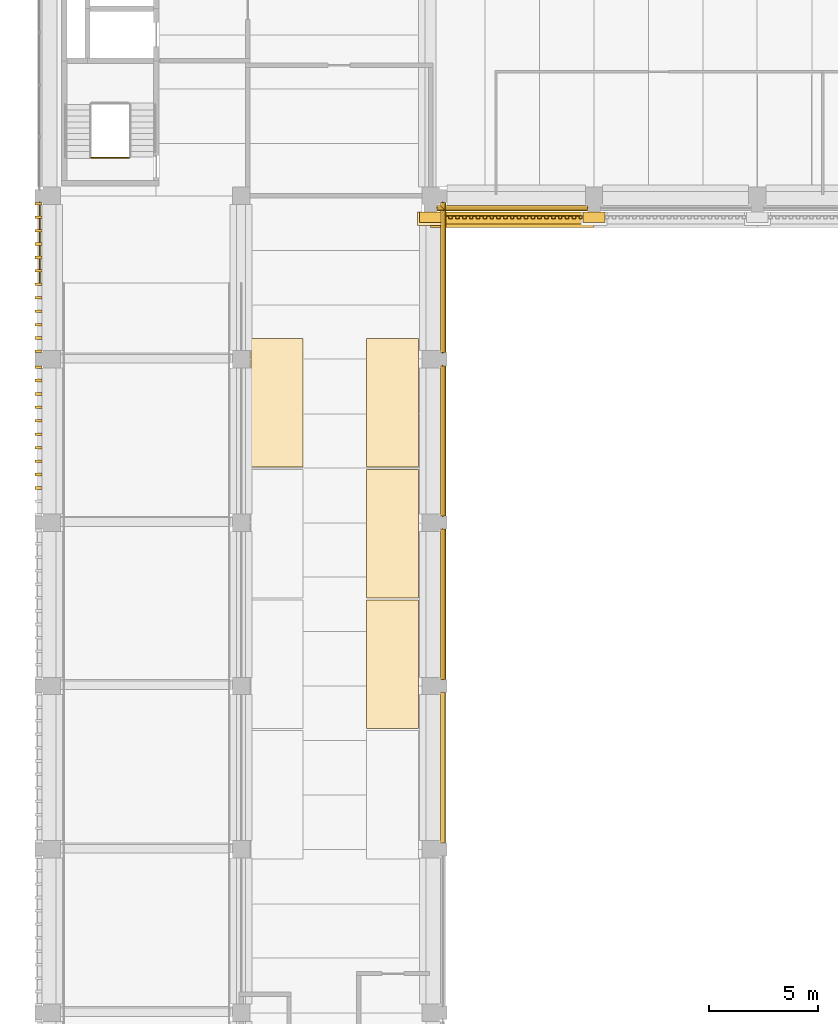
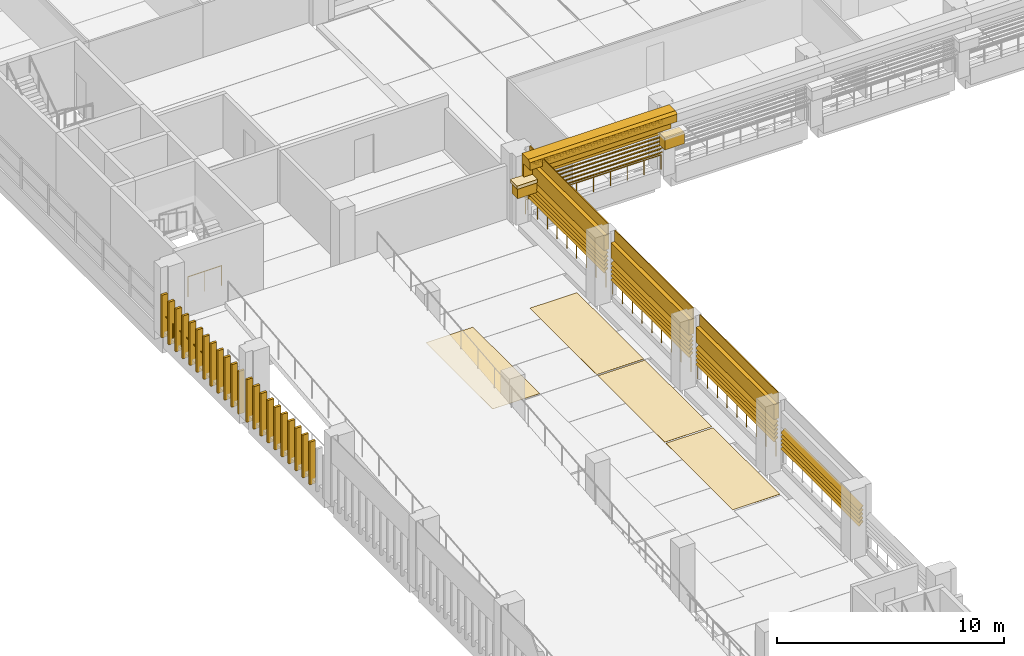
# One storey, part 41 of 71: 35 coverings, 25 shading devices, 6 railings.
"""IFC4 building model written with IfcOpenShell, lengths in metres."""

from ifc_helpers import new_model, si_unit, direction, frame, origin, origin_2d, place, context, subcontext, project, spatial, polyline, circle, outline, extrude, material, layer, layer_set, type_object, element, save


model = new_model("IFC4")

# Units and contexts
model_context = context("Model", 3, precision=1e-05, world=origin(), true_north=direction((0.0, 1.0)))
body_context = subcontext(model_context, "Body", "Model", "MODEL_VIEW")
ifc_project = project(units=[si_unit("LENGTHUNIT", "METRE"), si_unit("AREAUNIT", "SQUARE_METRE"), si_unit("VOLUMEUNIT", "CUBIC_METRE"), si_unit("PLANEANGLEUNIT", "RADIAN"), si_unit("MASSUNIT", "GRAM", prefix="KILO")], contexts=[model_context])

# Site, building, storey
site_placement = place(None, origin())
site = spatial("IfcSite", under=ifc_project, at=site_placement, CompositionType="ELEMENT")
building_placement = place(site_placement, origin())
building = spatial("IfcBuilding", under=site, at=building_placement, Name="Cour d'Honneur Mobility Palace", CompositionType="ELEMENT")
storey_placement = place(building_placement, frame((0.0, 0.0, 15.60009765625)))
storey = spatial("IfcBuildingStorey", under=building, at=storey_placement, Name="L04", CompositionType="ELEMENT", Elevation=15.60009765625)

# Railings
ifc_material_1 = material(Name="Painted steel", Category="steel")
railing_type_1 = type_object("IfcRailingType", Name="Balustrade", PredefinedType="BALUSTRADE", material=ifc_material_1)
for number, where, name in (
    (1, (17.949951171875, 22.800048828125, 0.2998046875), "Balustrade BAL-201"),
    (2, (17.949951171875, 30.300048828125, 0.2998046875), "Balustrade BAL-202"),
    (3, (17.949951171875, 37.800048828125, 0.2998046875), "Balustrade BAL-203"),
):
    element("IfcRailing", number, at=place(storey_placement, frame(where)), inside=storey, type_object=railing_type_1, Name=name, PredefinedType="BALUSTRADE", context=body_context, shape_type="SweptSolid", body=[
        extrude(circle(Radius=0.02392578125, at=origin_2d()), frame((0.0, 0.0, 0.77587890625), z_axis=(0.0, 1.0, 0.0), x_axis=(-1.0, 0.0, 0.0)), (0.0, 0.0, 1.0), 6.89990234375),
        extrude(circle(Radius=0.02099609375, at=origin_2d()), origin(), (0.0, 0.0, 1.0), 0.751953125),
        extrude(circle(Radius=0.02099609375, at=origin_2d()), frame((0.0, 0.862548828125, 0.0)), (0.0, 0.0, 1.0), 0.751953125),
        extrude(circle(Radius=0.02099609375, at=origin_2d()), frame((0.0, 1.72509765625, 0.0)), (0.0, 0.0, 1.0), 0.751953125),
        extrude(circle(Radius=0.02099609375, at=origin_2d()), frame((0.0, 2.58740234375, 0.0)), (0.0, 0.0, 1.0), 0.751953125),
        extrude(circle(Radius=0.02099609375, at=origin_2d()), frame((0.0, 3.449951171875, 0.0)), (0.0, 0.0, 1.0), 0.751953125),
        extrude(circle(Radius=0.02099609375, at=origin_2d()), frame((0.0, 4.3125, 0.0)), (0.0, 0.0, 1.0), 0.751953125),
        extrude(circle(Radius=0.02099609375, at=origin_2d()), frame((0.0, 5.1748046875, 0.0)), (0.0, 0.0, 1.0), 0.751953125),
        extrude(circle(Radius=0.02099609375, at=origin_2d()), frame((0.0, 6.037353515625, 0.0)), (0.0, 0.0, 1.0), 0.751953125),
        extrude(circle(Radius=0.02099609375, at=origin_2d()), frame((0.0, 6.89990234375, 0.0)), (0.0, 0.0, 1.0), 0.751953125),
    ])
railing_1_placement = place(storey_placement, frame((17.699951171875, 44.449951171875, 0.2998046875)))
element("IfcRailing", 4, at=railing_1_placement, inside=storey, type_object=railing_type_1, Name="Balustrade BAL-204", PredefinedType="BALUSTRADE", context=body_context, shape_type="SweptSolid", body=[
    extrude(circle(Radius=0.02392578125, at=origin_2d()), frame((0.0, 0.0, 0.77587890625), z_axis=(1.0, 0.0, 0.0), x_axis=(0.0, 1.0, 0.0)), (0.0, 0.0, 1.0), 6.900146484375),
    extrude(circle(Radius=0.02099609375, at=origin_2d()), origin(), (0.0, 0.0, 1.0), 0.751953125),
    extrude(circle(Radius=0.02099609375, at=origin_2d()), frame((0.862548828125, 0.0, 0.0)), (0.0, 0.0, 1.0), 0.751953125),
    extrude(circle(Radius=0.02099609375, at=origin_2d()), frame((1.72509765625, 0.0, 0.0)), (0.0, 0.0, 1.0), 0.751953125),
    extrude(circle(Radius=0.02099609375, at=origin_2d()), frame((2.587646484375, 0.0, 0.0)), (0.0, 0.0, 1.0), 0.751953125),
    extrude(circle(Radius=0.02099609375, at=origin_2d()), frame((3.4501953125, 0.0, 0.0)), (0.0, 0.0, 1.0), 0.751953125),
    extrude(circle(Radius=0.02099609375, at=origin_2d()), frame((4.3125, 0.0, 0.0)), (0.0, 0.0, 1.0), 0.751953125),
    extrude(circle(Radius=0.02099609375, at=origin_2d()), frame((5.175048828125, 0.0, 0.0)), (0.0, 0.0, 1.0), 0.751953125),
    extrude(circle(Radius=0.02099609375, at=origin_2d()), frame((6.03759765625, 0.0, 0.0)), (0.0, 0.0, 1.0), 0.751953125),
    extrude(circle(Radius=0.02099609375, at=origin_2d()), frame((6.900146484375, 0.0, 0.0)), (0.0, 0.0, 1.0), 0.751953125),
])
railing_2_placement = place(storey_placement, frame((-0.550048828125, 44.699951171875, 0.2998046875)))
element("IfcRailing", 5, at=railing_2_placement, inside=storey, type_object=railing_type_1, Name="Balustrade BAL-259", PredefinedType="BALUSTRADE", context=body_context, shape_type="SweptSolid", body=[
    extrude(circle(Radius=0.02392578125, at=origin_2d()), frame((0.0, 0.0, 0.77587890625), z_axis=(0.0, -1.0, 0.0), x_axis=(1.0, 0.0, 0.0)), (0.0, 0.0, 1.0), 3.699951171875),
    extrude(circle(Radius=0.02099609375, at=origin_2d()), origin(), (0.0, 0.0, 1.0), 0.751953125),
    extrude(circle(Radius=0.02099609375, at=origin_2d()), frame((0.0, -0.739990234375, 0.0)), (0.0, 0.0, 1.0), 0.751953125),
    extrude(circle(Radius=0.02099609375, at=origin_2d()), frame((0.0, -1.47998046875, 0.0)), (0.0, 0.0, 1.0), 0.751953125),
    extrude(circle(Radius=0.02099609375, at=origin_2d()), frame((0.0, -2.219970703125, 0.0)), (0.0, 0.0, 1.0), 0.751953125),
    extrude(circle(Radius=0.02099609375, at=origin_2d()), frame((0.0, -2.9599609375, 0.0)), (0.0, 0.0, 1.0), 0.751953125),
    extrude(circle(Radius=0.02099609375, at=origin_2d()), frame((0.0, -3.699951171875, 0.0)), (0.0, 0.0, 1.0), 0.751953125),
])

# Coverings
ifc_material_2 = material(Name="Cast limestone", Category="masonry")
ifc_layer_1 = layer(ifc_material_2, 0.14990234375)
ifc_layer_set_1 = layer_set([ifc_layer_1], Name="Cast limestone")
covering_type_1 = type_object("IfcCoveringType", Name="Dentil course", PredefinedType="CLADDING", material=ifc_layer_set_1)
covering_1_placement = place(storey_placement, frame((0.0, 0.0, 3.14990234375)))
element("IfcCovering", 6, at=covering_1_placement, inside=storey, type_object=covering_type_1, Name="Dentil course DC-70", PredefinedType="CLADDING", context=body_context, shape_type="SweptSolid", body=[
    extrude(outline(polyline([(17.85009765625, 44.10009765625), (24.449951171875, 44.10009765625), (24.449951171875, 44.070068359375), (24.449951171875, 44.070068359375), (24.371337890625, 44.070068359375), (24.371337890625, 43.949951171875), (24.21435546875, 43.949951171875), (24.21435546875, 44.070068359375), (24.1357421875, 44.070068359375), (24.1357421875, 44.070068359375), (24.05712890625, 44.070068359375), (24.05712890625, 43.949951171875), (23.89990234375, 43.949951171875), (23.89990234375, 44.070068359375), (23.821533203125, 44.070068359375), (23.821533203125, 44.070068359375), (23.742919921875, 44.070068359375), (23.742919921875, 43.949951171875), (23.585693359375, 43.949951171875), (23.585693359375, 44.070068359375), (23.507080078125, 44.070068359375), (23.507080078125, 44.070068359375), (23.428466796875, 44.070068359375), (23.428466796875, 43.949951171875), (23.271484375, 43.949951171875), (23.271484375, 44.070068359375), (23.19287109375, 44.070068359375), (23.19287109375, 44.070068359375), (23.1142578125, 44.070068359375), (23.1142578125, 43.949951171875), (22.95703125, 43.949951171875), (22.95703125, 44.070068359375), (22.878662109375, 44.070068359375), (22.878662109375, 44.070068359375), (22.800048828125, 44.070068359375), (22.800048828125, 43.949951171875), (22.642822265625, 43.949951171875), (22.642822265625, 44.070068359375), (22.564208984375, 44.070068359375), (22.564208984375, 44.070068359375), (22.485595703125, 44.070068359375), (22.485595703125, 43.949951171875), (22.32861328125, 43.949951171875), (22.32861328125, 44.070068359375), (22.25, 44.070068359375), (22.25, 44.070068359375), (22.17138671875, 44.070068359375), (22.17138671875, 43.949951171875), (22.014404296875, 43.949951171875), (22.014404296875, 44.070068359375), (21.935791015625, 44.070068359375), (21.935791015625, 44.070068359375), (21.857177734375, 44.070068359375), (21.857177734375, 43.949951171875), (21.699951171875, 43.949951171875), (21.699951171875, 44.070068359375), (21.621337890625, 44.070068359375), (21.621337890625, 44.070068359375), (21.54296875, 44.070068359375), (21.54296875, 43.949951171875), (21.3857421875, 43.949951171875), (21.3857421875, 44.070068359375), (21.30712890625, 44.070068359375), (21.30712890625, 44.070068359375), (21.228515625, 44.070068359375), (21.228515625, 43.949951171875), (21.071533203125, 43.949951171875), (21.071533203125, 44.070068359375), (20.992919921875, 44.070068359375), (20.992919921875, 44.070068359375), (20.914306640625, 44.070068359375), (20.914306640625, 43.949951171875), (20.757080078125, 43.949951171875), (20.757080078125, 44.070068359375), (20.678466796875, 44.070068359375), (20.678466796875, 44.070068359375), (20.60009765625, 44.070068359375), (20.60009765625, 43.949951171875), (20.44287109375, 43.949951171875), (20.44287109375, 44.070068359375), (20.3642578125, 44.070068359375), (20.3642578125, 44.070068359375), (20.28564453125, 44.070068359375), (20.28564453125, 43.949951171875), (20.128662109375, 43.949951171875), (20.128662109375, 44.070068359375), (20.050048828125, 44.070068359375), (20.050048828125, 44.070068359375), (19.971435546875, 44.070068359375), (19.971435546875, 43.949951171875), (19.814208984375, 43.949951171875), (19.814208984375, 44.070068359375), (19.735595703125, 44.070068359375), (19.735595703125, 44.070068359375), (19.6572265625, 44.070068359375), (19.6572265625, 43.949951171875), (19.5, 43.949951171875), (19.5, 44.070068359375), (19.42138671875, 44.070068359375), (19.42138671875, 44.070068359375), (19.3427734375, 44.070068359375), (19.3427734375, 43.949951171875), (19.185791015625, 43.949951171875), (19.185791015625, 44.070068359375), (19.107177734375, 44.070068359375), (19.107177734375, 44.070068359375), (19.028564453125, 44.070068359375), (19.028564453125, 43.949951171875), (18.871337890625, 43.949951171875), (18.871337890625, 44.070068359375), (18.79296875, 44.070068359375), (18.79296875, 44.070068359375), (18.71435546875, 44.070068359375), (18.71435546875, 43.949951171875), (18.55712890625, 43.949951171875), (18.55712890625, 44.070068359375), (18.478515625, 44.070068359375), (18.478515625, 44.070068359375), (18.39990234375, 44.070068359375), (18.39990234375, 43.949951171875), (18.242919921875, 43.949951171875), (18.242919921875, 44.070068359375), (18.164306640625, 44.070068359375), (18.164306640625, 44.070068359375), (18.085693359375, 44.070068359375), (18.085693359375, 43.949951171875), (17.928466796875, 43.949951171875), (17.928466796875, 44.070068359375), (17.85009765625, 44.070068359375), (17.85009765625, 44.10009765625)])), origin(), (0.0, 0.0, 1.0), 0.14990234375),
])
ifc_material_3 = material(Name="Cast limestone", Category="masonry")
ifc_layer_2 = layer(ifc_material_3, 0.699951171875)
ifc_layer_set_2 = layer_set([ifc_layer_2], Name="Cast limestone")
covering_type_2 = type_object("IfcCoveringType", Name="Entablature", PredefinedType="CLADDING", material=ifc_layer_set_2)
covering_2_placement = place(storey_placement, frame((17.39990234375, 44.25, 2.599853515625), z_axis=(-1.0, 0.0, 0.0), x_axis=(0.0, -1.0, 0.0)))
element("IfcCovering", 7, at=covering_2_placement, inside=storey, type_object=covering_type_2, Name="Entablature EN-70", PredefinedType="CLADDING", context=body_context, shape_type="SweptSolid", body=[
    extrude(outline(polyline([(0.0, 0.0), (0.14990234375, 0.0), (0.14990234375, 0.699951171875), (0.699951171875, 0.699951171875), (0.699951171875, 1.10009765625), (0.550048828125, 1.199951171875), (0.0, 1.199951171875), (0.0, 0.0)])), origin(), (0.0, 0.0, -1.0), 7.5),
])

# Railing
ifc_material_4 = material(Name="Painted steel", Category="steel")
railing_type_2 = type_object("IfcRailingType", Name="Guardrail 1100", PredefinedType="GUARDRAIL", material=ifc_material_4)
railing_3_placement = place(storey_placement, frame((1.824951171875, 46.7548828125, 0.0)))
element("IfcRailing", 8, at=railing_3_placement, inside=storey, type_object=railing_type_2, Name="Guard ST-CW1", PredefinedType="GUARDRAIL", context=body_context, shape_type="SweptSolid", body=[
    extrude(circle(Radius=0.02490234375, at=origin_2d()), frame((0.0, 0.0, 1.0751953125), z_axis=(1.0, 0.0, 0.0), x_axis=(0.0, 1.0, 0.0)), (0.0, 0.0, 1.0), 1.72509765625),
    extrude(circle(Radius=0.02099609375, at=origin_2d()), origin(), (0.0, 0.0, 1.0), 1.050048828125),
    extrude(circle(Radius=0.02099609375, at=origin_2d()), frame((0.862548828125, 0.0, 0.0)), (0.0, 0.0, 1.0), 1.050048828125),
    extrude(circle(Radius=0.02099609375, at=origin_2d()), frame((1.72509765625, 0.0, 0.0)), (0.0, 0.0, 1.0), 1.050048828125),
])

# Coverings
ifc_material_5 = material(Name="Parking marking paint")
ifc_layer_3 = layer(ifc_material_5, 0.0048828125)
ifc_layer_set_3 = layer_set([ifc_layer_3], Name="Parking marking paint")
covering_type_3 = type_object("IfcCoveringType", Name="Parking bay marking", PredefinedType="FLOORING", material=ifc_layer_set_3)
covering_3_placement = place(storey_placement, origin())
element("IfcCovering", 9, at=covering_3_placement, inside=storey, type_object=covering_type_3, Name="Parking bay marking L04 55", PredefinedType="FLOORING", context=body_context, shape_type="SweptSolid", body=[
    extrude(outline(polyline([(11.550048828125, 32.550048828125), (9.14990234375, 32.550048828125), (9.14990234375, 38.449951171875), (11.550048828125, 38.449951171875), (11.550048828125, 32.550048828125)])), origin(), (0.0, 0.0, 1.0), 0.0048828125),
])
covering_4_placement = place(storey_placement, origin())
element("IfcCovering", 10, at=covering_4_placement, inside=storey, type_object=covering_type_3, Name="Parking bay marking L04 57", PredefinedType="FLOORING", context=body_context, shape_type="SweptSolid", body=[
    extrude(outline(polyline([(16.85009765625, 20.550048828125), (14.449951171875, 20.550048828125), (14.449951171875, 26.449951171875), (16.85009765625, 26.449951171875), (16.85009765625, 20.550048828125)])), origin(), (0.0, 0.0, 1.0), 0.0048828125),
])
covering_5_placement = place(storey_placement, origin())
element("IfcCovering", 11, at=covering_5_placement, inside=storey, type_object=covering_type_3, Name="Parking bay marking L04 58", PredefinedType="FLOORING", context=body_context, shape_type="SweptSolid", body=[
    extrude(outline(polyline([(16.85009765625, 26.550048828125), (14.449951171875, 26.550048828125), (14.449951171875, 32.449951171875), (16.85009765625, 32.449951171875), (16.85009765625, 26.550048828125)])), origin(), (0.0, 0.0, 1.0), 0.0048828125),
])
covering_6_placement = place(storey_placement, origin())
element("IfcCovering", 12, at=covering_6_placement, inside=storey, type_object=covering_type_3, Name="Parking bay marking L04 59", PredefinedType="FLOORING", context=body_context, shape_type="SweptSolid", body=[
    extrude(outline(polyline([(16.85009765625, 32.550048828125), (14.449951171875, 32.550048828125), (14.449951171875, 38.449951171875), (16.85009765625, 38.449951171875), (16.85009765625, 32.550048828125)])), origin(), (0.0, 0.0, 1.0), 0.0048828125),
])
ifc_material_6 = material(Name="Cast limestone", Category="masonry")
ifc_layer_4 = layer(ifc_material_6, 0.1201171875)
ifc_layer_set_4 = layer_set([ifc_layer_4], Name="Cast limestone")
covering_type_4 = type_object("IfcCoveringType", Name="Pilaster capital", PredefinedType="CLADDING", material=ifc_layer_set_4)
covering_7_placement = place(storey_placement, frame((0.0, 0.0, 1.7998046875)))
element("IfcCovering", 13, at=covering_7_placement, inside=storey, type_object=covering_type_4, Name="Pilaster capital PK-19", PredefinedType="CLADDING", context=body_context, shape_type="SweptSolid", body=[
    extrude(outline(polyline([(16.89990234375, 44.25), (17.89990234375, 44.25), (17.89990234375, 43.780029296875), (16.89990234375, 43.780029296875), (16.89990234375, 44.25)])), origin(), (0.0, 0.0, 1.0), 0.6201171875),
])
covering_8_placement = place(storey_placement, frame((0.0, 0.0, 2.419921875)))
element("IfcCovering", 14, at=covering_8_placement, inside=storey, type_object=covering_type_4, Name="Pilaster capital PK-20", PredefinedType="CLADDING", context=body_context, shape_type="SweptSolid", body=[
    extrude(outline(polyline([(16.800048828125, 44.25), (18.0, 44.25), (18.0, 43.64990234375), (16.800048828125, 43.64990234375), (16.800048828125, 44.25)])), origin(), (0.0, 0.0, 1.0), 0.179931640625),
])
covering_9_placement = place(storey_placement, frame((0.0, 0.0, 1.7998046875)))
element("IfcCovering", 15, at=covering_9_placement, inside=storey, type_object=covering_type_4, Name="Pilaster capital PK-21", PredefinedType="CLADDING", context=body_context, shape_type="SweptSolid", body=[
    extrude(outline(polyline([(24.39990234375, 44.25), (25.39990234375, 44.25), (25.39990234375, 43.780029296875), (24.39990234375, 43.780029296875), (24.39990234375, 44.25)])), origin(), (0.0, 0.0, 1.0), 0.6201171875),
])
ifc_material_7 = material(Name="Cast limestone", Category="masonry")
ifc_layer_5 = layer(ifc_material_7, 0.1201171875)
ifc_layer_set_5 = layer_set([ifc_layer_5], Name="Cast limestone")
covering_type_5 = type_object("IfcCoveringType", Name="Ramp screen fin", PredefinedType="CLADDING", material=ifc_layer_set_5)
covering_10_placement = place(storey_placement, origin())
element("IfcCovering", 16, at=covering_10_placement, inside=storey, type_object=covering_type_5, Name="Ramp screen fin W11.8 L04 1", PredefinedType="CLADDING", context=body_context, shape_type="SweptSolid", body=[
    extrude(outline(polyline([(-0.449951171875, 44.699951171875), (-0.449951171875, 44.580078125), (-0.75, 44.580078125), (-0.75, 44.699951171875), (-0.449951171875, 44.699951171875)])), origin(), (0.0, 0.0, 1.0), 2.2998046875),
])
covering_11_placement = place(storey_placement, origin())
element("IfcCovering", 17, at=covering_11_placement, inside=storey, type_object=covering_type_5, Name="Ramp screen fin W11.8 L04 2", PredefinedType="CLADDING", context=body_context, shape_type="SweptSolid", body=[
    extrude(outline(polyline([(-0.449951171875, 44.083740234375), (-0.449951171875, 43.963623046875), (-0.75, 43.963623046875), (-0.75, 44.083740234375), (-0.449951171875, 44.083740234375)])), origin(), (0.0, 0.0, 1.0), 2.2998046875),
])
covering_12_placement = place(storey_placement, origin())
element("IfcCovering", 18, at=covering_12_placement, inside=storey, type_object=covering_type_5, Name="Ramp screen fin W11.8 L04 3", PredefinedType="CLADDING", context=body_context, shape_type="SweptSolid", body=[
    extrude(outline(polyline([(-0.449951171875, 43.46728515625), (-0.449951171875, 43.34716796875), (-0.75, 43.34716796875), (-0.75, 43.46728515625), (-0.449951171875, 43.46728515625)])), origin(), (0.0, 0.0, 1.0), 2.2998046875),
])
covering_13_placement = place(storey_placement, origin())
element("IfcCovering", 19, at=covering_13_placement, inside=storey, type_object=covering_type_5, Name="Ramp screen fin W11.8 L04 4", PredefinedType="CLADDING", context=body_context, shape_type="SweptSolid", body=[
    extrude(outline(polyline([(-0.449951171875, 42.850830078125), (-0.449951171875, 42.73095703125), (-0.75, 42.73095703125), (-0.75, 42.850830078125), (-0.449951171875, 42.850830078125)])), origin(), (0.0, 0.0, 1.0), 2.2998046875),
])
covering_14_placement = place(storey_placement, origin())
element("IfcCovering", 20, at=covering_14_placement, inside=storey, type_object=covering_type_5, Name="Ramp screen fin W11.8 L04 5", PredefinedType="CLADDING", context=body_context, shape_type="SweptSolid", body=[
    extrude(outline(polyline([(-0.449951171875, 42.234619140625), (-0.449951171875, 42.114501953125), (-0.75, 42.114501953125), (-0.75, 42.234619140625), (-0.449951171875, 42.234619140625)])), origin(), (0.0, 0.0, 1.0), 2.2998046875),
])
covering_15_placement = place(storey_placement, origin())
element("IfcCovering", 21, at=covering_15_placement, inside=storey, type_object=covering_type_5, Name="Ramp screen fin W11.8 L04 6", PredefinedType="CLADDING", context=body_context, shape_type="SweptSolid", body=[
    extrude(outline(polyline([(-0.449951171875, 41.6181640625), (-0.449951171875, 41.498291015625), (-0.75, 41.498291015625), (-0.75, 41.6181640625), (-0.449951171875, 41.6181640625)])), origin(), (0.0, 0.0, 1.0), 2.2998046875),
])
covering_16_placement = place(storey_placement, origin())
element("IfcCovering", 22, at=covering_16_placement, inside=storey, type_object=covering_type_5, Name="Ramp screen fin W11.8 L04 7", PredefinedType="CLADDING", context=body_context, shape_type="SweptSolid", body=[
    extrude(outline(polyline([(-0.449951171875, 41.001708984375), (-0.449951171875, 40.8818359375), (-0.75, 40.8818359375), (-0.75, 41.001708984375), (-0.449951171875, 41.001708984375)])), origin(), (0.0, 0.0, 1.0), 2.2998046875),
])
covering_17_placement = place(storey_placement, origin())
element("IfcCovering", 23, at=covering_17_placement, inside=storey, type_object=covering_type_5, Name="Ramp screen fin W11.8 L04 8", PredefinedType="CLADDING", context=body_context, shape_type="SweptSolid", body=[
    extrude(outline(polyline([(-0.449951171875, 40.385498046875), (-0.449951171875, 40.265380859375), (-0.75, 40.265380859375), (-0.75, 40.385498046875), (-0.449951171875, 40.385498046875)])), origin(), (0.0, 0.0, 1.0), 2.2998046875),
])
covering_18_placement = place(storey_placement, origin())
element("IfcCovering", 24, at=covering_18_placement, inside=storey, type_object=covering_type_5, Name="Ramp screen fin W11.8 L04 9", PredefinedType="CLADDING", context=body_context, shape_type="SweptSolid", body=[
    extrude(outline(polyline([(-0.449951171875, 39.76904296875), (-0.449951171875, 39.649169921875), (-0.75, 39.649169921875), (-0.75, 39.76904296875), (-0.449951171875, 39.76904296875)])), origin(), (0.0, 0.0, 1.0), 2.2998046875),
])
covering_19_placement = place(storey_placement, origin())
element("IfcCovering", 25, at=covering_19_placement, inside=storey, type_object=covering_type_5, Name="Ramp screen fin W11.8 L04 10", PredefinedType="CLADDING", context=body_context, shape_type="SweptSolid", body=[
    extrude(outline(polyline([(-0.449951171875, 39.15283203125), (-0.449951171875, 39.03271484375), (-0.75, 39.03271484375), (-0.75, 39.15283203125), (-0.449951171875, 39.15283203125)])), origin(), (0.0, 0.0, 1.0), 2.2998046875),
])
covering_20_placement = place(storey_placement, origin())
element("IfcCovering", 26, at=covering_20_placement, inside=storey, type_object=covering_type_5, Name="Ramp screen fin W11.8 L04 11", PredefinedType="CLADDING", context=body_context, shape_type="SweptSolid", body=[
    extrude(outline(polyline([(-0.449951171875, 38.536376953125), (-0.449951171875, 38.416259765625), (-0.75, 38.416259765625), (-0.75, 38.536376953125), (-0.449951171875, 38.536376953125)])), origin(), (0.0, 0.0, 1.0), 2.2998046875),
])
covering_21_placement = place(storey_placement, origin())
element("IfcCovering", 27, at=covering_21_placement, inside=storey, type_object=covering_type_5, Name="Ramp screen fin W11.8 L04 12", PredefinedType="CLADDING", context=body_context, shape_type="SweptSolid", body=[
    extrude(outline(polyline([(-0.449951171875, 37.919921875), (-0.449951171875, 37.800048828125), (-0.75, 37.800048828125), (-0.75, 37.919921875), (-0.449951171875, 37.919921875)])), origin(), (0.0, 0.0, 1.0), 2.2998046875),
])
covering_22_placement = place(storey_placement, origin())
element("IfcCovering", 28, at=covering_22_placement, inside=storey, type_object=covering_type_5, Name="Ramp screen fin W11.9 L04 1", PredefinedType="CLADDING", context=body_context, shape_type="SweptSolid", body=[
    extrude(outline(polyline([(-0.449951171875, 37.199951171875), (-0.449951171875, 37.080078125), (-0.75, 37.080078125), (-0.75, 37.199951171875), (-0.449951171875, 37.199951171875)])), origin(), (0.0, 0.0, 1.0), 2.2998046875),
])
covering_23_placement = place(storey_placement, origin())
element("IfcCovering", 29, at=covering_23_placement, inside=storey, type_object=covering_type_5, Name="Ramp screen fin W11.9 L04 2", PredefinedType="CLADDING", context=body_context, shape_type="SweptSolid", body=[
    extrude(outline(polyline([(-0.449951171875, 36.583740234375), (-0.449951171875, 36.463623046875), (-0.75, 36.463623046875), (-0.75, 36.583740234375), (-0.449951171875, 36.583740234375)])), origin(), (0.0, 0.0, 1.0), 2.2998046875),
])
covering_24_placement = place(storey_placement, origin())
element("IfcCovering", 30, at=covering_24_placement, inside=storey, type_object=covering_type_5, Name="Ramp screen fin W11.9 L04 3", PredefinedType="CLADDING", context=body_context, shape_type="SweptSolid", body=[
    extrude(outline(polyline([(-0.449951171875, 35.96728515625), (-0.449951171875, 35.84716796875), (-0.75, 35.84716796875), (-0.75, 35.96728515625), (-0.449951171875, 35.96728515625)])), origin(), (0.0, 0.0, 1.0), 2.2998046875),
])
covering_25_placement = place(storey_placement, origin())
element("IfcCovering", 31, at=covering_25_placement, inside=storey, type_object=covering_type_5, Name="Ramp screen fin W11.9 L04 4", PredefinedType="CLADDING", context=body_context, shape_type="SweptSolid", body=[
    extrude(outline(polyline([(-0.449951171875, 35.350830078125), (-0.449951171875, 35.23095703125), (-0.75, 35.23095703125), (-0.75, 35.350830078125), (-0.449951171875, 35.350830078125)])), origin(), (0.0, 0.0, 1.0), 2.2998046875),
])
covering_26_placement = place(storey_placement, origin())
element("IfcCovering", 32, at=covering_26_placement, inside=storey, type_object=covering_type_5, Name="Ramp screen fin W11.9 L04 5", PredefinedType="CLADDING", context=body_context, shape_type="SweptSolid", body=[
    extrude(outline(polyline([(-0.449951171875, 34.734619140625), (-0.449951171875, 34.614501953125), (-0.75, 34.614501953125), (-0.75, 34.734619140625), (-0.449951171875, 34.734619140625)])), origin(), (0.0, 0.0, 1.0), 2.2998046875),
])
covering_27_placement = place(storey_placement, origin())
element("IfcCovering", 33, at=covering_27_placement, inside=storey, type_object=covering_type_5, Name="Ramp screen fin W11.9 L04 6", PredefinedType="CLADDING", context=body_context, shape_type="SweptSolid", body=[
    extrude(outline(polyline([(-0.449951171875, 34.1181640625), (-0.449951171875, 33.998291015625), (-0.75, 33.998291015625), (-0.75, 34.1181640625), (-0.449951171875, 34.1181640625)])), origin(), (0.0, 0.0, 1.0), 2.2998046875),
])
covering_28_placement = place(storey_placement, origin())
element("IfcCovering", 34, at=covering_28_placement, inside=storey, type_object=covering_type_5, Name="Ramp screen fin W11.9 L04 7", PredefinedType="CLADDING", context=body_context, shape_type="SweptSolid", body=[
    extrude(outline(polyline([(-0.449951171875, 33.501708984375), (-0.449951171875, 33.3818359375), (-0.75, 33.3818359375), (-0.75, 33.501708984375), (-0.449951171875, 33.501708984375)])), origin(), (0.0, 0.0, 1.0), 2.2998046875),
])
covering_29_placement = place(storey_placement, origin())
element("IfcCovering", 35, at=covering_29_placement, inside=storey, type_object=covering_type_5, Name="Ramp screen fin W11.9 L04 8", PredefinedType="CLADDING", context=body_context, shape_type="SweptSolid", body=[
    extrude(outline(polyline([(-0.449951171875, 32.885498046875), (-0.449951171875, 32.765380859375), (-0.75, 32.765380859375), (-0.75, 32.885498046875), (-0.449951171875, 32.885498046875)])), origin(), (0.0, 0.0, 1.0), 2.2998046875),
])
covering_30_placement = place(storey_placement, origin())
element("IfcCovering", 36, at=covering_30_placement, inside=storey, type_object=covering_type_5, Name="Ramp screen fin W11.9 L04 9", PredefinedType="CLADDING", context=body_context, shape_type="SweptSolid", body=[
    extrude(outline(polyline([(-0.449951171875, 32.26904296875), (-0.449951171875, 32.149169921875), (-0.75, 32.149169921875), (-0.75, 32.26904296875), (-0.449951171875, 32.26904296875)])), origin(), (0.0, 0.0, 1.0), 2.2998046875),
])
covering_31_placement = place(storey_placement, origin())
element("IfcCovering", 37, at=covering_31_placement, inside=storey, type_object=covering_type_5, Name="Ramp screen fin W11.9 L04 10", PredefinedType="CLADDING", context=body_context, shape_type="SweptSolid", body=[
    extrude(outline(polyline([(-0.449951171875, 31.65283203125), (-0.449951171875, 31.53271484375), (-0.75, 31.53271484375), (-0.75, 31.65283203125), (-0.449951171875, 31.65283203125)])), origin(), (0.0, 0.0, 1.0), 2.2998046875),
])
ifc_material_8 = material(Name="Cast limestone", Category="masonry")
ifc_layer_6 = layer(ifc_material_8, 0.25)
ifc_layer_set_6 = layer_set([ifc_layer_6], Name="Cast limestone")
covering_type_6 = type_object("IfcCoveringType", Name="Spandrel cladding", PredefinedType="CLADDING", material=ifc_layer_set_6)
for number, where, z_axis, x_axis, name in (
    (38, (17.85009765625, 22.800048828125, 2.2998046875), (0.0, -1.0, 0.0), (1.0, 0.0, 0.0), "Spandrel cladding SK-278"),
    (39, (17.85009765625, 30.300048828125, 2.2998046875), (0.0, -1.0, 0.0), (1.0, 0.0, 0.0), "Spandrel cladding SK-279"),
    (40, (17.85009765625, 37.800048828125, 2.2998046875), (0.0, -1.0, 0.0), (1.0, 0.0, 0.0), "Spandrel cladding SK-280"),
    (41, (17.699951171875, 44.550048828125, 2.2998046875), (-1.0, 0.0, 0.0), (0.0, -1.0, 0.0), "Spandrel cladding SK-281"),
):
    element("IfcCovering", number, at=place(storey_placement, frame(where, z_axis=z_axis, x_axis=x_axis)), inside=storey, type_object=covering_type_6, Name=name, PredefinedType="CLADDING", context=body_context, shape_type="SweptSolid", body=[
        extrude(outline(polyline([(0.0, 0.0), (0.25, 0.0), (0.25, 1.400146484375), (0.199951171875, 1.400146484375), (0.199951171875, 0.800048828125), (0.0, 0.800048828125), (0.0, 0.0)])), origin(), (0.0, 0.0, -1.0), 6.89990234375),
    ])

# Shading devices
ifc_material_9 = material(Name="Terracotta", Category="masonry")
ifc_layer_7 = layer(ifc_material_9, 0.02490234375)
ifc_layer_set_7 = layer_set([ifc_layer_7], Name="Terracotta")
shading_device_type = type_object("IfcShadingDeviceType", Name="Terracotta louvre blade", PredefinedType="JALOUSIE", material=ifc_layer_set_7)
for number, where, z_axis, x_axis, name in (
    (42, (17.843994140625, 15.300048828125, 1.099853515625), (-0.707106781187, 0.0, 0.707106781187), (0.0, 1.0, 0.0), "Louvre blade LV-1 E1.2 L04 1"),
    (43, (17.843994140625, 15.300048828125, 1.31201171875), (-0.707106781187, 0.0, 0.707106781187), (0.0, 1.0, 0.0), "Louvre blade LV-1 E1.2 L04 2"),
    (44, (17.843994140625, 15.300048828125, 1.524169921875), (-0.707106781187, 0.0, 0.707106781187), (0.0, 1.0, 0.0), "Louvre blade LV-1 E1.2 L04 3"),
    (45, (17.843994140625, 15.300048828125, 1.736328125), (-0.707106781187, 0.0, 0.707106781187), (0.0, 1.0, 0.0), "Louvre blade LV-1 E1.2 L04 4"),
    (46, (17.843994140625, 15.300048828125, 1.948486328125), (-0.707106781187, 0.0, 0.707106781187), (0.0, 1.0, 0.0), "Louvre blade LV-1 E1.2 L04 5"),
    (47, (17.843994140625, 22.800048828125, 1.099853515625), (-0.707106781187, 0.0, 0.707106781187), (0.0, 1.0, 0.0), "Louvre blade LV-1 E1.3 L04 1"),
    (48, (17.843994140625, 22.800048828125, 1.31201171875), (-0.707106781187, 0.0, 0.707106781187), (0.0, 1.0, 0.0), "Louvre blade LV-1 E1.3 L04 2"),
    (49, (17.843994140625, 22.800048828125, 1.524169921875), (-0.707106781187, 0.0, 0.707106781187), (0.0, 1.0, 0.0), "Louvre blade LV-1 E1.3 L04 3"),
    (50, (17.843994140625, 22.800048828125, 1.736328125), (-0.707106781187, 0.0, 0.707106781187), (0.0, 1.0, 0.0), "Louvre blade LV-1 E1.3 L04 4"),
    (51, (17.843994140625, 22.800048828125, 1.948486328125), (-0.707106781187, 0.0, 0.707106781187), (0.0, 1.0, 0.0), "Louvre blade LV-1 E1.3 L04 5"),
    (52, (17.843994140625, 30.300048828125, 1.099853515625), (-0.707106781187, 0.0, 0.707106781187), (0.0, 1.0, 0.0), "Louvre blade LV-1 E1.4 L04 1"),
    (53, (17.843994140625, 30.300048828125, 1.31201171875), (-0.707106781187, 0.0, 0.707106781187), (0.0, 1.0, 0.0), "Louvre blade LV-1 E1.4 L04 2"),
    (54, (17.843994140625, 30.300048828125, 1.524169921875), (-0.707106781187, 0.0, 0.707106781187), (0.0, 1.0, 0.0), "Louvre blade LV-1 E1.4 L04 3"),
    (55, (17.843994140625, 30.300048828125, 1.736328125), (-0.707106781187, 0.0, 0.707106781187), (0.0, 1.0, 0.0), "Louvre blade LV-1 E1.4 L04 4"),
    (56, (17.843994140625, 30.300048828125, 1.948486328125), (-0.707106781187, 0.0, 0.707106781187), (0.0, 1.0, 0.0), "Louvre blade LV-1 E1.4 L04 5"),
    (57, (17.843994140625, 37.800048828125, 1.099853515625), (-0.707106781187, 0.0, 0.707106781187), (0.0, 1.0, 0.0), "Louvre blade LV-1 E1.5 L04 1"),
    (58, (17.843994140625, 37.800048828125, 1.31201171875), (-0.707106781187, 0.0, 0.707106781187), (0.0, 1.0, 0.0), "Louvre blade LV-1 E1.5 L04 2"),
    (59, (17.843994140625, 37.800048828125, 1.524169921875), (-0.707106781187, 0.0, 0.707106781187), (0.0, 1.0, 0.0), "Louvre blade LV-1 E1.5 L04 3"),
    (60, (17.843994140625, 37.800048828125, 1.736328125), (-0.707106781187, 0.0, 0.707106781187), (0.0, 1.0, 0.0), "Louvre blade LV-1 E1.5 L04 4"),
    (61, (17.843994140625, 37.800048828125, 1.948486328125), (-0.707106781187, 0.0, 0.707106781187), (0.0, 1.0, 0.0), "Louvre blade LV-1 E1.5 L04 5"),
):
    element("IfcShadingDevice", number, at=place(storey_placement, frame(where, z_axis=z_axis, x_axis=x_axis)), inside=storey, type_object=shading_device_type, Name=name, PredefinedType="JALOUSIE", context=body_context, shape_type="SweptSolid", body=[
        extrude(outline(polyline([(0.0, 0.0), (6.89990234375, 0.0), (6.89990234375, -0.300037008228081), (0.0, -0.300037008228081), (0.0, 0.0)])), origin(), (0.0, 0.0, -1.0), 0.02490234375),
    ])
for number, where, z_axis, x_axis, name in (
    (62, (17.699951171875, 44.55615234375, 1.099853515625), (0.0, 0.707106781187, 0.707106781187), (1.0, 0.0, 0.0), "Louvre blade LV-1 S2.0 L04 1"),
    (63, (17.699951171875, 44.55615234375, 1.31201171875), (0.0, 0.707106781187, 0.707106781187), (1.0, 0.0, 0.0), "Louvre blade LV-1 S2.0 L04 2"),
    (64, (17.699951171875, 44.55615234375, 1.524169921875), (0.0, 0.707106781187, 0.707106781187), (1.0, 0.0, 0.0), "Louvre blade LV-1 S2.0 L04 3"),
    (65, (17.699951171875, 44.55615234375, 1.736328125), (0.0, 0.707106781187, 0.707106781187), (1.0, 0.0, 0.0), "Louvre blade LV-1 S2.0 L04 4"),
    (66, (17.699951171875, 44.55615234375, 1.948486328125), (0.0, 0.707106781187, 0.707106781187), (1.0, 0.0, 0.0), "Louvre blade LV-1 S2.0 L04 5"),
):
    element("IfcShadingDevice", number, at=place(storey_placement, frame(where, z_axis=z_axis, x_axis=x_axis)), inside=storey, type_object=shading_device_type, Name=name, PredefinedType="JALOUSIE", context=body_context, shape_type="SweptSolid", body=[
        extrude(outline(polyline([(0.0, 0.0), (6.900146484375, 0.0), (6.900146484375, -0.300037008228081), (0.0, -0.300037008228081), (0.0, 0.0)])), origin(), (0.0, 0.0, -1.0), 0.02490234375),
    ])

save(model, "model.ifc")
